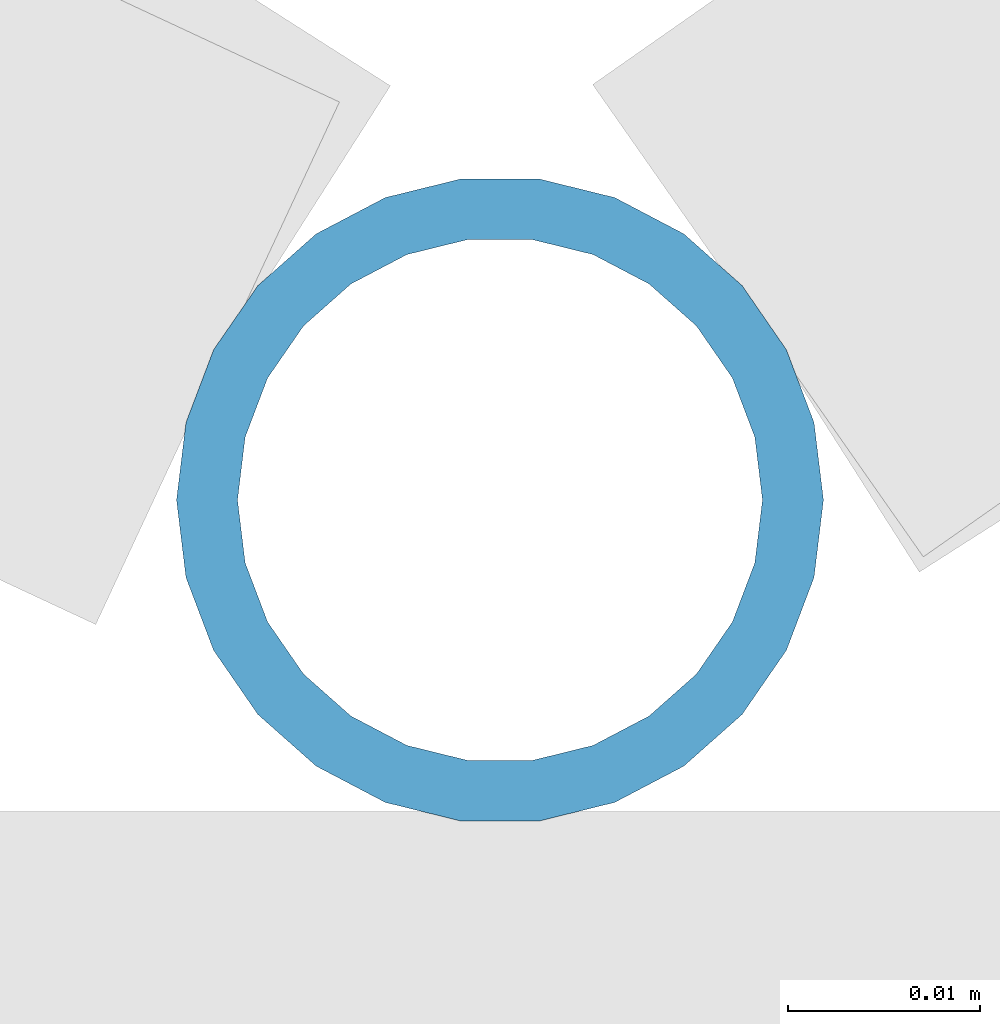
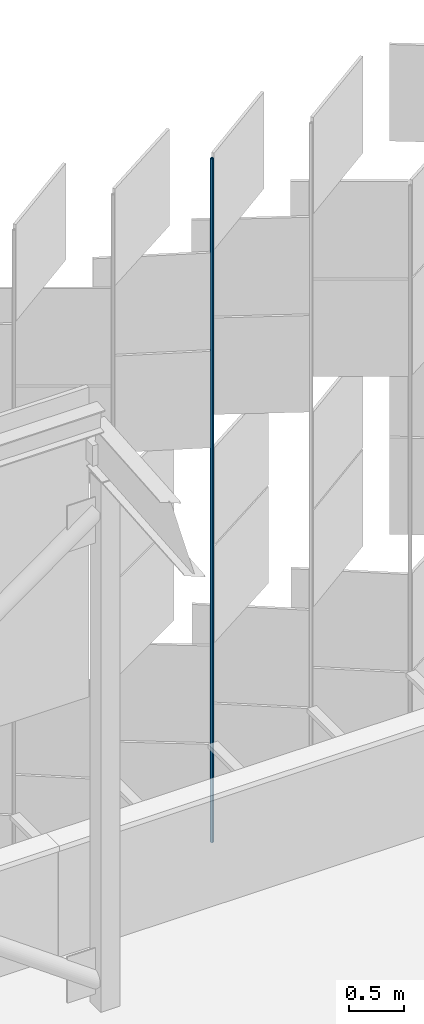
# One storey, part 382 of 483: 1 discrete accessory.
"""IFC4 building model written with IfcOpenShell, lengths in metres."""

from ifc_helpers import new_model, si_unit, direction, frame, origin, origin_2d, place, context, subcontext, project, spatial, hollow_circle, extrude, material, material_profile, profile_set, type_object, element, save


model = new_model("IFC4")

# Units and contexts
model_context = context("Model", 3, precision=1e-05, world=origin(), true_north=direction((0.0, 1.0)))
body_context = subcontext(model_context, "Body", "Model", "MODEL_VIEW")
ifc_project = project(units=[si_unit("LENGTHUNIT", "METRE"), si_unit("AREAUNIT", "SQUARE_METRE"), si_unit("VOLUMEUNIT", "CUBIC_METRE"), si_unit("PLANEANGLEUNIT", "RADIAN"), si_unit("MASSUNIT", "GRAM", prefix="KILO")], contexts=[model_context])

# Site, building, storey
site_placement = place(None, origin())
site = spatial("IfcSite", under=ifc_project, at=site_placement, CompositionType="ELEMENT")
building_placement = place(site_placement, origin())
building = spatial("IfcBuilding", under=site, at=building_placement, Name="Parallax Yard Mobility Hub", CompositionType="ELEMENT")
storey_placement = place(building_placement, frame((0.0, 0.0, 13.199951171875)))
storey = spatial("IfcBuildingStorey", under=building, at=storey_placement, Name="L04", CompositionType="ELEMENT", Elevation=13.199951171875)

# Discrete accessory
ifc_material = material(Name="Steel ASTM A500 Gr C, hot-dip galvanised", Category="steel")
ifc_material_profile = material_profile(ifc_material, hollow_circle(Radius=0.016845703125, WallThickness=0.003173828125, at=origin_2d()), Name="CHS 33.7x3.2")
ifc_profile_set = profile_set([ifc_material_profile], Name="Steel ASTM A500 Gr C, hot-dip galvanised")
discrete_accessory_type = type_object("IfcDiscreteAccessoryType", Name="Hinge post CHS 33.7x3.2", PredefinedType="BRACKET", material=ifc_profile_set)
discrete_accessory_placement = place(storey_placement, frame((167.14404296875, 143.1513671875, 0.0), z_axis=(0.0, 0.0, 1.0), x_axis=(1.0, 0.0, 0.0)))
element("IfcDiscreteAccessory", 1, at=discrete_accessory_placement, inside=storey, type_object=discrete_accessory_type, Name="Hinge post bay 51.6 level L04", PredefinedType="BRACKET", context=body_context, shape_type="SweptSolid", body=[
    extrude(hollow_circle(Radius=0.016845703125, WallThickness=0.003173828125, at=origin_2d()), origin(), (0.0, 0.0, 1.0), 7.650146484375),
])

save(model, "model.ifc")
